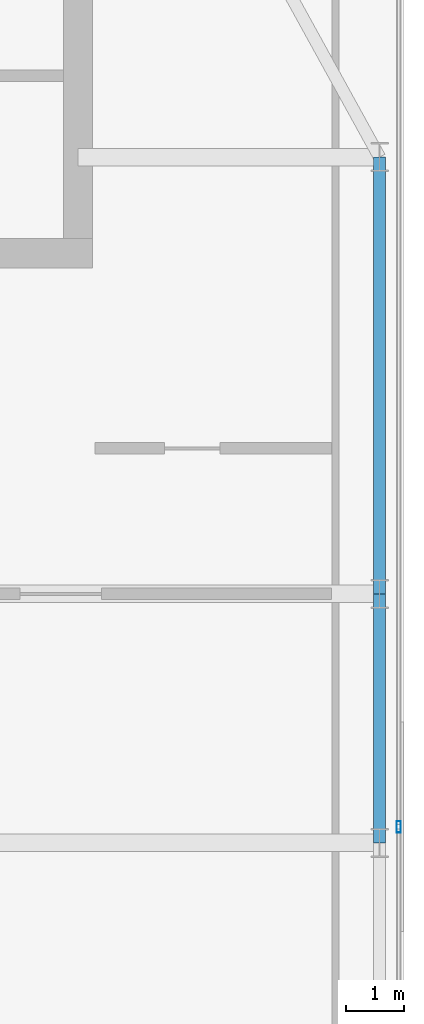
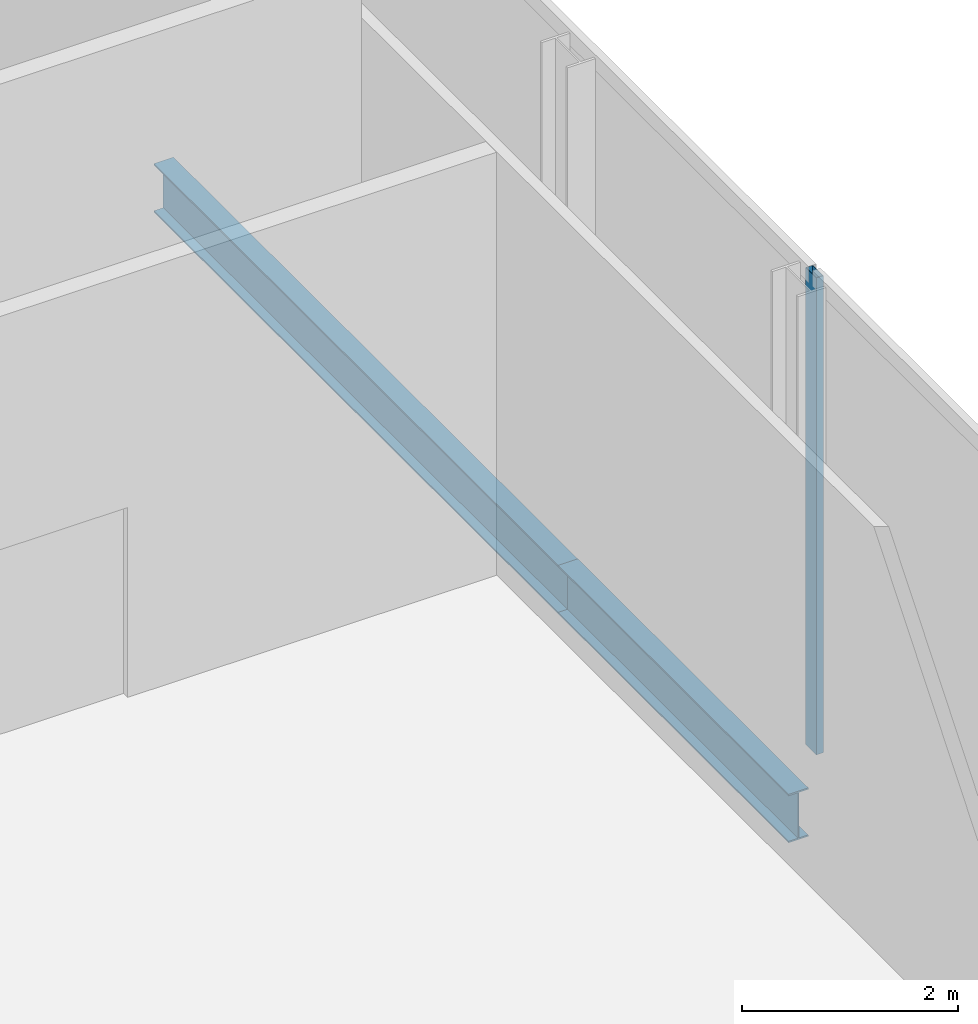
# One storey, part 15 of 23: 2 beams, 1 member, 1 element without a shape of its own.
"""IFC4 building model written with IfcOpenShell, lengths in metres."""

import ifcopenshell
import ifcopenshell.guid

model = None  # the IFC model being written
_history = None  # IfcOwnerHistory: only IFC2X3 demands one
_inside = {}  # id of a spatial element -> (the spatial element, [elements in it])
_under = {}  # id of a project, library or spatial element -> (it, [spatial elements below it])
_declared = {}  # id of a project -> (the project, [libraries it declares])
_typed = {}  # id of a type object -> (the type object, [elements of that type])
_made_of = {}  # id of a material, layer set ... -> (it, [elements and type objects made of it])


def new_model(schema):
    """Start an empty IFC model of exactly this schema.

    Asked for "IFC4X3", IfcOpenShell would pick the latest addendum, in which some entities
    have other attributes; the version numbers below select the first issue.
    IFC2X3 requires an IfcOwnerHistory on every rooted entity: one is made here for all.
    """
    global model, _history
    if schema == "IFC4X3":
        model = ifcopenshell.file(schema_version=(4, 3, 0, 0))
    else:
        model = ifcopenshell.file(schema=schema)
    _inside.clear()
    _under.clear()
    _declared.clear()
    _typed.clear()
    _made_of.clear()
    _history = None
    if model.schema == "IFC2X3":
        org = make("IfcOrganization", Name="unknown")
        user = make(
            "IfcPersonAndOrganization",
            ThePerson=make("IfcPerson", FamilyName="unknown"),
            TheOrganization=org,
        )
        app = make(
            "IfcApplication",
            ApplicationDeveloper=org,
            Version="unknown",
            ApplicationFullName="unknown",
            ApplicationIdentifier="unknown",
        )
        _history = make(
            "IfcOwnerHistory",
            OwningUser=user,
            OwningApplication=app,
            ChangeAction="ADDED",
            CreationDate=0,
        )
    return model


def make(cls, **values):
    """One entity of the class cls with the attributes given. An attribute that is None is left unset."""
    return model.create_entity(
        cls, **{name: value for name, value in values.items() if value is not None}
    )


def rooted(cls, **values):
    """An entity with a GlobalId (a new one), such as an element, a storey or a relation."""
    return make(cls, GlobalId=ifcopenshell.guid.new(), OwnerHistory=_history, **values)


def si_unit(unit_type, name, prefix=None):
    """IfcSIUnit, for example si_unit("LENGTHUNIT", "METRE", prefix="MILLI")."""
    return make("IfcSIUnit", UnitType=unit_type, Prefix=prefix, Name=name)


def assignment(units):
    """IfcUnitAssignment: the units of a project."""
    return None if units is None else make("IfcUnitAssignment", Units=units)


def point(xyz):
    """IfcCartesianPoint."""
    return None if xyz is None else make("IfcCartesianPoint", Coordinates=xyz)


def direction(xyz):
    """IfcDirection."""
    return None if xyz is None else make("IfcDirection", DirectionRatios=xyz)


def frame(location, z_axis=None, x_axis=None):
    """IfcAxis2Placement3D, a coordinate frame: its origin and axes. An axis left out is left unset."""
    return make(
        "IfcAxis2Placement3D",
        Location=point(location),
        Axis=direction(z_axis),
        RefDirection=direction(x_axis),
    )


def frame_2d(location, x_axis=None):
    """IfcAxis2Placement2D, a coordinate frame in the plane: its origin and x axis."""
    return make(
        "IfcAxis2Placement2D", Location=point(location), RefDirection=direction(x_axis)
    )


def origin():
    """The frame at (0, 0, 0) with its axes left unset."""
    return frame((0.0, 0.0, 0.0))


def origin_2d():
    """The frame at (0, 0) in the plane with its x axis left unset."""
    return frame_2d((0.0, 0.0))


def place(relative_to, where):
    """IfcLocalPlacement: puts the frame where relative to a parent placement (None: the world)."""
    return make(
        "IfcLocalPlacement", PlacementRelTo=relative_to, RelativePlacement=where
    )


def context(
    kind, dimensions, precision=None, world=None, true_north=None, identifier=None
):
    """IfcGeometricRepresentationContext, for example the 3D "Model" context."""
    return make(
        "IfcGeometricRepresentationContext",
        ContextIdentifier=identifier,
        ContextType=kind,
        CoordinateSpaceDimension=dimensions,
        Precision=precision,
        WorldCoordinateSystem=world,
        TrueNorth=true_north,
    )


def subcontext(parent, identifier, kind, view, scale=None):
    """IfcGeometricRepresentationSubContext, for example "Body" below "Model"."""
    return make(
        "IfcGeometricRepresentationSubContext",
        ContextIdentifier=identifier,
        ContextType=kind,
        ParentContext=parent,
        TargetScale=scale,
        TargetView=view,
    )


def project(units=None, contexts=None):
    """IfcProject with its units and contexts."""
    return rooted(
        "IfcProject",
        Name="project",
        RepresentationContexts=contexts,
        UnitsInContext=assignment(units),
    )


def spatial(cls, under=None, at=None, **own):
    """A site, building, storey or space (cls), placed at a placement, below another one or the project."""
    s = rooted(cls, ObjectPlacement=at, **own)
    if under is not None:
        _under.setdefault(under.id(), (under, []))[1].append(s)
    return s


def profile(cls, at=None, kind="AREA", **sizes):
    """A parametric profile (cls). Its sizes go by their IFC names, for example OverallWidth=200.0."""
    return make(cls, ProfileType=kind, Position=at, **sizes)


def hollow_rectangle(**sizes):
    """IfcRectangleHollowProfileDef."""
    return profile("IfcRectangleHollowProfileDef", **sizes)


def i_section(**sizes):
    """IfcIShapeProfileDef."""
    return profile("IfcIShapeProfileDef", **sizes)


def extrude(swept, where, along, depth):
    """IfcExtrudedAreaSolid: the profile swept, set in the frame where, extruded along a direction by depth."""
    return make(
        "IfcExtrudedAreaSolid",
        SweptArea=swept,
        Position=where,
        ExtrudedDirection=direction(along),
        Depth=depth,
    )


def shape(context_of_items, identifier, shape_type, items):
    """IfcShapeRepresentation: the items that make up one representation, for example the "Body"."""
    return make(
        "IfcShapeRepresentation",
        ContextOfItems=context_of_items,
        RepresentationIdentifier=identifier,
        RepresentationType=shape_type,
        Items=items,
    )


def material(Name=None, Category=None):
    """IfcMaterial."""
    return make("IfcMaterial", Name=Name, Category=Category)


def material_profile(
    of_material, cross_section, Name=None, Category=None, Priority=None
):
    """IfcMaterialProfile: a cross section and its material."""
    return make(
        "IfcMaterialProfile",
        Name=Name,
        Material=of_material,
        Profile=cross_section,
        Priority=Priority,
        Category=Category,
    )


def profile_set(profiles, Name=None, composite=None):
    """IfcMaterialProfileSet."""
    return make(
        "IfcMaterialProfileSet",
        Name=Name,
        MaterialProfiles=profiles,
        CompositeProfile=composite,
    )


def made_of(thing, what):
    """Note that an element or type object is made of a material, layer set ...; save() writes the relation."""
    if what is not None:
        _made_of.setdefault(what.id(), (what, []))[1].append(thing)
    return thing


def type_object(cls, material=None, **own):
    """A type object (cls), such as IfcWallType, which elements share."""
    return made_of(rooted(cls, **own), material)


def element(
    cls,
    number,
    at=None,
    inside=None,
    cuts=None,
    type_object=None,
    material=None,
    context=None,
    identifier="Body",
    shape_type=None,
    held_by="IfcProductDefinitionShape",
    body=None,
    shapes=None,
    **own,
):
    """One element of the class cls, such as IfcWall. Its Tag is "e" and its number.

    at: its placement. inside: the storey or other place that contains it. cuts: it is an
    opening in that element (IfcRelVoidsElement). A single representation is given by context,
    identifier, shape_type and body (its items); several are given by shapes. held_by: the class
    of the entity that holds the representations. save() writes the other relations.
    """
    e = rooted(cls, Tag="e%d" % number, ObjectPlacement=at, **own)
    if body is not None:
        shapes = [shape(context, identifier, shape_type, body)]
    if shapes is not None:
        e.Representation = make(held_by, Representations=shapes)
    if inside is not None:
        _inside.setdefault(inside.id(), (inside, []))[1].append(e)
    if cuts is not None:
        rooted(
            "IfcRelVoidsElement", RelatingBuildingElement=cuts, RelatedOpeningElement=e
        )
    if type_object is not None:
        _typed.setdefault(type_object.id(), (type_object, []))[1].append(e)
    return made_of(e, material)


def aggregate(whole, parts):
    """IfcRelAggregates: a whole, such as a stair, and the parts it consists of."""
    return rooted("IfcRelAggregates", RelatingObject=whole, RelatedObjects=parts)


def save(model, path):
    """Write the relations noted so far, then the file.

    IfcRelAggregates (storeys below a building ...), IfcRelContainedInSpatialStructure (elements
    in a storey), IfcRelDefinesByType, IfcRelAssociatesMaterial and IfcRelDeclares: one each for
    every whole, place, type object, material and project.
    """
    for whole, parts in _under.values():
        aggregate(whole, parts)
    for where, things in _inside.values():
        rooted(
            "IfcRelContainedInSpatialStructure",
            RelatedElements=things,
            RelatingStructure=where,
        )
    for kind, things in _typed.values():
        rooted("IfcRelDefinesByType", RelatedObjects=things, RelatingType=kind)
    for what, things in _made_of.values():
        rooted("IfcRelAssociatesMaterial", RelatedObjects=things, RelatingMaterial=what)
    for by, libraries in _declared.values():
        rooted("IfcRelDeclares", RelatingContext=by, RelatedDefinitions=libraries)
    model.write(path)


model = new_model("IFC4")

# Units and contexts
model_context = context("Model", 3, precision=1e-05, world=origin(), true_north=direction((0.0, 1.0)))
body_context = subcontext(model_context, "Body", "Model", "MODEL_VIEW")
ifc_project = project(units=[si_unit("LENGTHUNIT", "METRE"), si_unit("AREAUNIT", "SQUARE_METRE"), si_unit("VOLUMEUNIT", "CUBIC_METRE"), si_unit("PLANEANGLEUNIT", "RADIAN"), si_unit("MASSUNIT", "GRAM", prefix="KILO")], contexts=[model_context])

# Site, building, storey
site_placement = place(None, origin())
site = spatial("IfcSite", under=ifc_project, at=site_placement, CompositionType="ELEMENT")
building_placement = place(site_placement, origin())
building = spatial("IfcBuilding", under=site, at=building_placement, Name="Khoronbel Lancet Exchange", CompositionType="ELEMENT")
storey_placement = place(building_placement, frame((0.0, 0.0, 356.199951171875)))
storey = spatial("IfcBuildingStorey", under=building, at=storey_placement, Name="L92", CompositionType="ELEMENT", Elevation=356.199951171875)

# Beams
ifc_material_1 = material(Name="Steel S355", Category="steel")
ifc_material_profile_1 = material_profile(ifc_material_1, i_section(OverallWidth=0.2099609375, OverallDepth=0.550048828125, WebThickness=0.010986328125, FlangeThickness=0.01708984375, at=origin_2d()), Name="IPE 550")
ifc_profile_set_1 = profile_set([ifc_material_profile_1], Name="Steel S355")
beam_type = type_object("IfcBeamType", Name="BM-BSP3", PredefinedType="SPANDREL", material=ifc_profile_set_1)
beam_1_placement = place(storey_placement, frame((61.6298828125, 31.425048828125, -0.474853515625), z_axis=(0.0, 1.0, 0.0), x_axis=(-1.0, 0.0, 0.0)))
element("IfcBeam", 1, at=beam_1_placement, inside=storey, type_object=beam_type, Name="Level L92 perimeter spandrel beam SP11", PredefinedType="SPANDREL", context=body_context, shape_type="SweptSolid", body=[
    extrude(i_section(OverallWidth=0.2099609375, OverallDepth=0.550048828125, WebThickness=0.010986328125, FlangeThickness=0.01708984375, at=origin_2d()), origin(), (0.0, 0.0, 1.0), 4.27490234375),
])
beam_2_placement = place(storey_placement, frame((61.6298828125, 35.699951171875, -0.474853515625), z_axis=(0.0, 1.0, 0.0), x_axis=(-1.0, 0.0, 0.0)))
element("IfcBeam", 2, at=beam_2_placement, inside=storey, type_object=beam_type, Name="Level L92 perimeter spandrel beam SP12", PredefinedType="SPANDREL", context=body_context, shape_type="SweptSolid", body=[
    extrude(i_section(OverallWidth=0.2099609375, OverallDepth=0.550048828125, WebThickness=0.010986328125, FlangeThickness=0.01708984375, at=origin_2d()), origin(), (0.0, 0.0, 1.0), 7.5),
])

# Curtain wall, member
ifc_material_2 = material(Name="Low-E Solar Control Insulating Glass", Category="glass")
curtain_wall_type = type_object("IfcCurtainWallType", Name="CW-6", PredefinedType="NOTDEFINED", material=ifc_material_2)
curtain_wall_placement = place(storey_placement, origin())
curtain_wall = element("IfcCurtainWall", 3, at=curtain_wall_placement, inside=storey, type_object=curtain_wall_type, Name="Unitised curtain wall CW-L92-E09", PredefinedType="NOTDEFINED")
ifc_material_3 = material(Name="Bronze-Anodised Aluminium 6063-T6", Category="aluminium")
ifc_material_profile_2 = material_profile(ifc_material_3, hollow_rectangle(XDim=0.074951171875, YDim=0.199951171875, WallThickness=0.0048828125, at=origin_2d()), Name="ALU MULLION 75x200")
ifc_profile_set_2 = profile_set([ifc_material_profile_2], Name="Bronze-Anodised Aluminium 6063-T6")
member_type = type_object("IfcMemberType", Name="MEM-CWM2", PredefinedType="MULLION", material=ifc_profile_set_2)
member_placement = place(storey_placement, frame((61.9599609375, 31.699951171875, 0.0), z_axis=(0.0, 0.0, 1.0), x_axis=(1.0, 0.0, 0.0)))
member = element("IfcMember", 4, at=member_placement, type_object=member_type, Name="CW6 mullion 2", PredefinedType="MULLION", context=body_context, shape_type="SweptSolid", body=[
    extrude(hollow_rectangle(XDim=0.074951171875, YDim=0.199951171875, WallThickness=0.0048828125, at=origin_2d()), origin(), (0.0, 0.0, 1.0), 5.400146484375),
])
aggregate(curtain_wall, [member])

save(model, "model.ifc")
